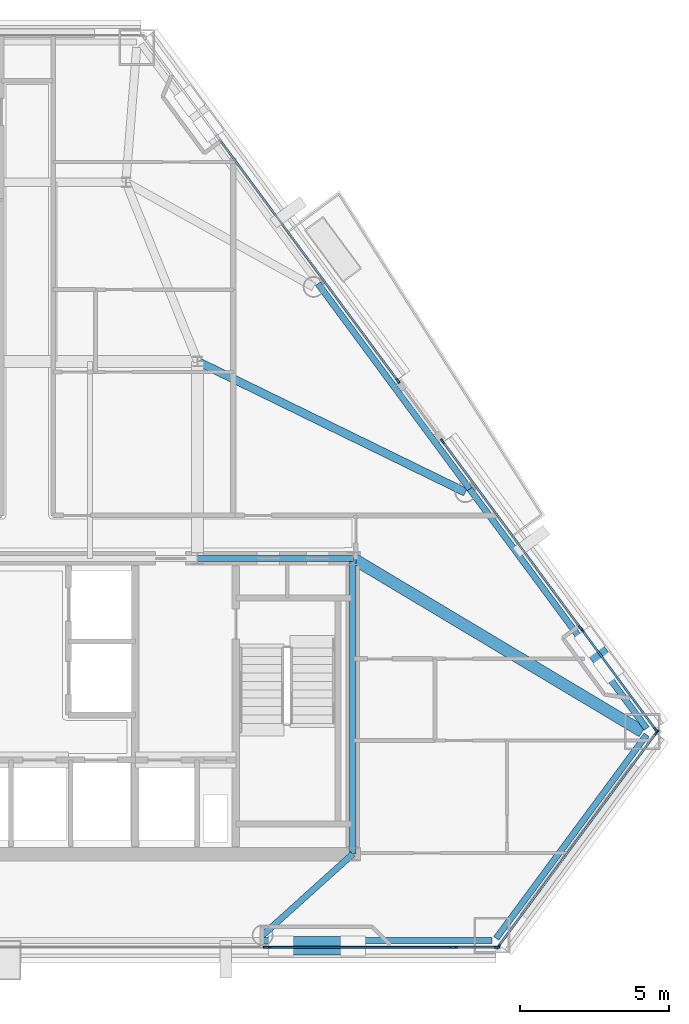
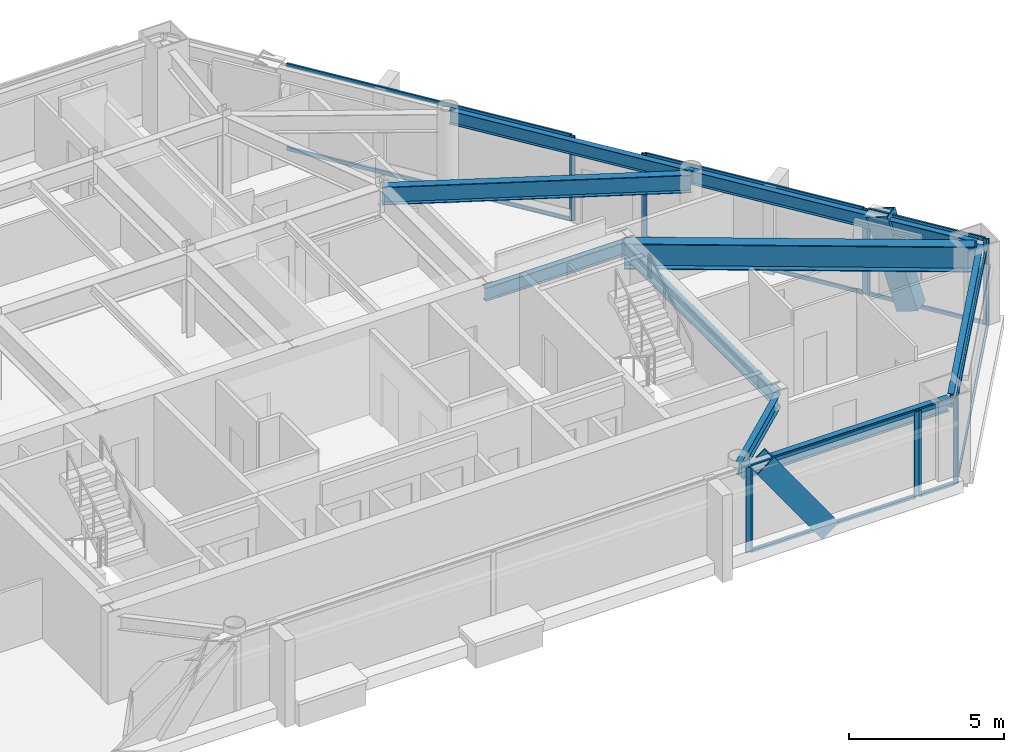
# One storey, part 5 of 11: 26 members, 9 beams, 7 elements without a shape of their own.
"""IFC4 building model written with IfcOpenShell, lengths in metres."""

from ifc_helpers import new_model, si_unit, direction, frame, origin, origin_2d, place, context, subcontext, project, spatial, rectangle, hollow_rectangle, i_section, extrude, material, layer, layer_set, material_profile, profile_set, type_object, element, aggregate, save


model = new_model("IFC4")

# Units and contexts
model_context = context("Model", 3, precision=1e-05, world=origin(), true_north=direction((0.0, 1.0)))
body_context = subcontext(model_context, "Body", "Model", "MODEL_VIEW")
ifc_project = project(units=[si_unit("LENGTHUNIT", "METRE"), si_unit("AREAUNIT", "SQUARE_METRE"), si_unit("VOLUMEUNIT", "CUBIC_METRE"), si_unit("PLANEANGLEUNIT", "RADIAN"), si_unit("MASSUNIT", "GRAM", prefix="KILO")], contexts=[model_context])

# Site, building, storey
site_placement = place(None, origin())
site = spatial("IfcSite", under=ifc_project, at=site_placement, CompositionType="ELEMENT")
building_placement = place(site_placement, origin())
building = spatial("IfcBuilding", under=site, at=building_placement, Name="Talgorran Terracotta Tower", CompositionType="ELEMENT")
storey_placement = place(building_placement, frame((0.0, 0.0, 136.5)))
storey = spatial("IfcBuildingStorey", under=building, at=storey_placement, Name="L35", CompositionType="ELEMENT", Elevation=136.5)

# Beams
ifc_material_1 = material(Name="Steel Grade 350 (350L0)", Category="steel")
ifc_material_profile_1 = material_profile(ifc_material_1, i_section(OverallWidth=0.39990234375, OverallDepth=1.0, WebThickness=0.01611328125, FlangeThickness=0.031005859375, at=origin_2d()), Name="1000WB296")
ifc_profile_set_1 = profile_set([ifc_material_profile_1], Name="Steel Grade 350 (350L0)")
beam_type_1 = type_object("IfcBeamType", Name="BM_1000WB296", PredefinedType="BEAM", material=ifc_profile_set_1)
beam_1_placement = place(storey_placement, frame((12.39990234375, -4.199951171875, 2.85009765625), z_axis=(0.858174722871, -0.513357716436, 0.0), x_axis=(0.513357716436, 0.858174722871, 0.0)))
element("IfcBeam", 1, at=beam_1_placement, inside=storey, type_object=beam_type_1, Name="L35 Floor Girder G18", PredefinedType="BEAM", context=body_context, shape_type="SweptSolid", body=[
    extrude(i_section(OverallWidth=0.39990234375, OverallDepth=1.0, WebThickness=0.01611328125, FlangeThickness=0.031005859375, at=origin_2d()), origin(), (0.0, 0.0, 1.0), 11.298828125),
])
ifc_material_2 = material(Name="Steel S355 (300PLUS)", Category="steel")
ifc_material_profile_2 = material_profile(ifc_material_2, i_section(OverallWidth=0.27490234375, OverallDepth=0.7080078125, WebThickness=0.011962890625, FlangeThickness=0.02490234375, at=origin_2d()), Name="700WB173")
ifc_profile_set_2 = profile_set([ifc_material_profile_2], Name="Steel S355 (300PLUS)")
beam_type_2 = type_object("IfcBeamType", Name="BM_700WB173", PredefinedType="BEAM", material=ifc_profile_set_2)
beam_2_placement = place(storey_placement, frame((7.199951171875, 2.39990234375, 2.99609375), z_axis=(0.898565721625, -0.438838972655, 0.0), x_axis=(0.438838972655, 0.898565721625, 0.0)))
element("IfcBeam", 2, at=beam_2_placement, inside=storey, type_object=beam_type_2, Name="L35 Floor Girder G07", PredefinedType="BEAM", context=body_context, shape_type="SweptSolid", body=[
    extrude(i_section(OverallWidth=0.27490234375, OverallDepth=0.7080078125, WebThickness=0.011962890625, FlangeThickness=0.02490234375, at=origin_2d()), origin(), (0.0, 0.0, 1.0), 9.981689453125),
])
ifc_material_profile_3 = material_profile(ifc_material_2, i_section(OverallWidth=0.209228515625, OverallDepth=0.532958984375, WebThickness=0.01025390625, FlangeThickness=0.015625, at=origin_2d()), Name="530UB92.4")
ifc_profile_set_3 = profile_set([ifc_material_profile_3], Name="Steel S355 (300PLUS)")
beam_type_3 = type_object("IfcBeamType", Name="BM_SP_530UB92", PredefinedType="SPANDREL", material=ifc_profile_set_3)
beam_3_placement = place(storey_placement, frame((9.381103515625, -16.998779296875, 3.08349609375), z_axis=(1.0, 0.0, 0.0), x_axis=(0.0, 1.0, 0.0)))
element("IfcBeam", 3, at=beam_3_placement, inside=storey, type_object=beam_type_3, Name="L35 Perimeter Spandrel Beam FC2-MC3", PredefinedType="SPANDREL", context=body_context, shape_type="SweptSolid", body=[
    extrude(i_section(OverallWidth=0.209228515625, OverallDepth=0.532958984375, WebThickness=0.01025390625, FlangeThickness=0.015625, at=origin_2d()), origin(), (0.0, 0.0, 1.0), 7.67578125),
])
beam_4_placement = place(storey_placement, frame((17.20166015625, -16.92578125, 3.08349609375), z_axis=(0.594369201234, 0.804192298288, 0.0), x_axis=(-0.804192298288, 0.594369201234, 0.0)))
element("IfcBeam", 4, at=beam_4_placement, inside=storey, type_object=beam_type_3, Name="L35 Perimeter Spandrel Beam MC3-MC4", PredefinedType="SPANDREL", context=body_context, shape_type="SweptSolid", body=[
    extrude(i_section(OverallWidth=0.209228515625, OverallDepth=0.532958984375, WebThickness=0.01025390625, FlangeThickness=0.015625, at=origin_2d()), origin(), (0.0, 0.0, 1.0), 8.478759765625),
])
beam_5_placement = place(storey_placement, frame((22.2412109375, -9.893310546875, 3.08349609375), z_axis=(-0.594352513119, 0.804204632011, 0.0), x_axis=(-0.804204632011, -0.594352513119, 0.0)))
element("IfcBeam", 5, at=beam_5_placement, inside=storey, type_object=beam_type_3, Name="L35 Perimeter Spandrel Beam MC4-FC3", PredefinedType="SPANDREL", context=body_context, shape_type="SweptSolid", body=[
    extrude(i_section(OverallWidth=0.209228515625, OverallDepth=0.532958984375, WebThickness=0.01025390625, FlangeThickness=0.015625, at=origin_2d()), origin(), (0.0, 0.0, 1.0), 9.97265625),
])
beam_6_placement = place(storey_placement, frame((16.31396484375, -1.873291015625, 3.08349609375), z_axis=(-0.594373393058, 0.804189200142, 0.0), x_axis=(-0.804189200142, -0.594373393058, 0.0)))
element("IfcBeam", 6, at=beam_6_placement, inside=storey, type_object=beam_type_3, Name="L35 Perimeter Spandrel Beam FC3-FC4", PredefinedType="SPANDREL", context=body_context, shape_type="SweptSolid", body=[
    extrude(i_section(OverallWidth=0.209228515625, OverallDepth=0.532958984375, WebThickness=0.01025390625, FlangeThickness=0.015625, at=origin_2d()), origin(), (0.0, 0.0, 1.0), 8.5478515625),
])
beam_7_placement = place(storey_placement, frame((12.39990234375, -14.10009765625, 3.08349609375), z_axis=(-0.74306999476, -0.669213704945, 0.0), x_axis=(0.669213704945, -0.74306999476, 0.0)))
element("IfcBeam", 7, at=beam_7_placement, inside=storey, type_object=beam_type_3, Name="L35 South-East Core Tie Beam", PredefinedType="SPANDREL", context=body_context, shape_type="SweptSolid", body=[
    extrude(i_section(OverallWidth=0.209228515625, OverallDepth=0.532958984375, WebThickness=0.01025390625, FlangeThickness=0.015625, at=origin_2d()), origin(), (0.0, 0.0, 1.0), 4.0625),
])
beam_8_placement = place(storey_placement, frame((12.39990234375, -14.10009765625, 3.08349609375), z_axis=(0.0, 1.0, 0.0), x_axis=(-1.0, 0.0, 0.0)))
element("IfcBeam", 8, at=beam_8_placement, inside=storey, type_object=beam_type_3, Name="L35 Core Frame Beam CFE", PredefinedType="SPANDREL", context=body_context, shape_type="SweptSolid", body=[
    extrude(i_section(OverallWidth=0.209228515625, OverallDepth=0.532958984375, WebThickness=0.01025390625, FlangeThickness=0.015625, at=origin_2d()), origin(), (0.0, 0.0, 1.0), 9.900146484375),
])
beam_9_placement = place(storey_placement, frame((7.199951171875, -4.199951171875, 3.08349609375), z_axis=(1.0, 0.0, 0.0), x_axis=(0.0, 1.0, 0.0)))
element("IfcBeam", 9, at=beam_9_placement, inside=storey, type_object=beam_type_3, Name="L35 Core Frame Beam CFN4", PredefinedType="SPANDREL", context=body_context, shape_type="SweptSolid", body=[
    extrude(i_section(OverallWidth=0.209228515625, OverallDepth=0.532958984375, WebThickness=0.01025390625, FlangeThickness=0.015625, at=origin_2d()), origin(), (0.0, 0.0, 1.0), 5.199951171875),
])

# Members
ifc_material_profile_4 = material_profile(ifc_material_1, hollow_rectangle(XDim=0.6201171875, YDim=0.780029296875, WallThickness=0.0419921875, at=origin_2d()), Name="WBOX780X620X42")
ifc_profile_set_4 = profile_set([ifc_material_profile_4], Name="Steel Grade 350 (350L0)")
member_type_1 = type_object("IfcMemberType", Name="MB_MEGA_780", PredefinedType="BRACE", material=ifc_profile_set_4)
member_1_placement = place(storey_placement, frame((12.41162109375, -17.178955078125, -0.02490234375), z_axis=(-0.578826145005, 0.0, 0.815450975755), x_axis=(0.0, -1.0, 0.0)))
element("IfcMember", 10, at=member_1_placement, inside=storey, type_object=member_type_1, Name="L35 Exterior Face Mega-Brace MB-2 (SEF)", PredefinedType="BRACE", context=body_context, shape_type="SweptSolid", body=[
    extrude(hollow_rectangle(XDim=0.6201171875, YDim=0.780029296875, WallThickness=0.0419921875, at=origin_2d()), origin(), (0.0, 0.0, 1.0), 4.16943359375),
])
member_2_placement = place(storey_placement, frame((20.96142578125, -7.85888671875, -0.02490234375), z_axis=(-0.178557600451, 0.241569872187, 0.953814017601), x_axis=(-0.804166664466, -0.594403882694, 0.0)))
element("IfcMember", 11, at=member_2_placement, inside=storey, type_object=member_type_1, Name="L35 Exterior Face Mega-Brace MB-2 (NEL)", PredefinedType="BRACE", context=body_context, shape_type="SweptSolid", body=[
    extrude(hollow_rectangle(XDim=0.6201171875, YDim=0.780029296875, WallThickness=0.0419921875, at=origin_2d()), origin(), (0.0, 0.0, 1.0), 3.564453125),
])

# Curtain wall, member
ifc_material_3 = material(Name="Unitised Low-E Double Glazing", Category="glass")
ifc_layer = layer(ifc_material_3, 0.199951171875, Name="CW_SYS2_RES_LOW")
ifc_layer_set = layer_set([ifc_layer], Name="Unitised Low-E Double Glazing")
curtain_wall_type = type_object("IfcCurtainWallType", Name="CW_SYS2_RES_LOW", PredefinedType="NOTDEFINED", material=ifc_layer_set)
curtain_wall_1_placement = place(storey_placement, origin())
curtain_wall_1 = element("IfcCurtainWall", 12, at=curtain_wall_1_placement, inside=storey, type_object=curtain_wall_type, Name="CW-L35-F1C", PredefinedType="NOTDEFINED")
ifc_material_4 = material(Name="Architectural Aluminium 6063-T6", Category="aluminium")
ifc_material_profile_5 = material_profile(ifc_material_4, rectangle(XDim=0.06494140625, YDim=0.18505859375, at=origin_2d()), Name="CWM65X185")
ifc_profile_set_5 = profile_set([ifc_material_profile_5], Name="Architectural Aluminium 6063-T6")
member_type_2 = type_object("IfcMemberType", Name="MUL_65X185", PredefinedType="MULLION", material=ifc_profile_set_5)
member_3_placement = place(storey_placement, frame((9.492919921875, -17.218994140625, 0.0), z_axis=(0.0, 0.0, 1.0), x_axis=(0.0, 1.0, 0.0)))
member_3 = element("IfcMember", 13, at=member_3_placement, type_object=member_type_2, Name="CW-L35-1C mullion 3", PredefinedType="MULLION", context=body_context, shape_type="SweptSolid", body=[
    extrude(rectangle(XDim=0.06494140625, YDim=0.18505859375, at=origin_2d()), origin(), (0.0, 0.0, 1.0), 3.35009765625),
])
aggregate(curtain_wall_1, [member_3])

# Curtain wall, members
curtain_wall_2_placement = place(storey_placement, origin())
curtain_wall_2 = element("IfcCurtainWall", 14, at=curtain_wall_2_placement, inside=storey, type_object=curtain_wall_type, Name="CW-L35-F1D", PredefinedType="NOTDEFINED")
member_4_placement = place(storey_placement, frame((9.56787109375, -17.218994140625, 0.0), z_axis=(0.0, 0.0, 1.0), x_axis=(0.0, 1.0, 0.0)))
member_4 = element("IfcMember", 15, at=member_4_placement, type_object=member_type_2, Name="CW-L35-1D mullion 1", PredefinedType="MULLION", context=body_context, shape_type="SweptSolid", body=[
    extrude(rectangle(XDim=0.06494140625, YDim=0.18505859375, at=origin_2d()), origin(), (0.0, 0.0, 1.0), 3.35009765625),
])
member_5_placement = place(storey_placement, frame((15.75, -17.218994140625, 0.0), z_axis=(0.0, 0.0, 1.0), x_axis=(0.0, 1.0, 0.0)))
member_5 = element("IfcMember", 16, at=member_5_placement, type_object=member_type_2, Name="CW-L35-1D mullion 2", PredefinedType="MULLION", context=body_context, shape_type="SweptSolid", body=[
    extrude(rectangle(XDim=0.06494140625, YDim=0.18505859375, at=origin_2d()), origin(), (0.0, 0.0, 1.0), 3.35009765625),
])

curtain_wall_3_placement = place(storey_placement, origin())
curtain_wall_3 = element("IfcCurtainWall", 17, at=curtain_wall_3_placement, inside=storey, type_object=curtain_wall_type, Name="CW-L35-F1E", PredefinedType="NOTDEFINED")
member_6_placement = place(storey_placement, frame((15.8251953125, -17.218994140625, 0.0), z_axis=(0.0, 0.0, 1.0), x_axis=(0.0, 1.0, 0.0)))
member_6 = element("IfcMember", 18, at=member_6_placement, type_object=member_type_2, Name="CW-L35-1E mullion 1", PredefinedType="MULLION", context=body_context, shape_type="SweptSolid", body=[
    extrude(rectangle(XDim=0.06494140625, YDim=0.18505859375, at=origin_2d()), origin(), (0.0, 0.0, 1.0), 3.35009765625),
])
member_7_placement = place(storey_placement, frame((17.22607421875, -17.218994140625, 0.0), z_axis=(0.0, 0.0, 1.0), x_axis=(0.0, 1.0, 0.0)))
member_7 = element("IfcMember", 19, at=member_7_placement, type_object=member_type_2, Name="CW-L35-1E mullion 2", PredefinedType="MULLION", context=body_context, shape_type="SweptSolid", body=[
    extrude(rectangle(XDim=0.06494140625, YDim=0.18505859375, at=origin_2d()), origin(), (0.0, 0.0, 1.0), 3.35009765625),
])

curtain_wall_4_placement = place(storey_placement, origin())
curtain_wall_4 = element("IfcCurtainWall", 20, at=curtain_wall_4_placement, inside=storey, type_object=curtain_wall_type, Name="CW-L35-F2", PredefinedType="NOTDEFINED")
member_8_placement = place(storey_placement, frame((17.27783203125, -17.19287109375, 0.0), z_axis=(0.0, 0.0, 1.0), x_axis=(-0.80420068261, 0.594357856926, 0.0)))
member_8 = element("IfcMember", 21, at=member_8_placement, type_object=member_type_2, Name="CW-L35-2 mullion 1", PredefinedType="MULLION", context=body_context, shape_type="SweptSolid", body=[
    extrude(rectangle(XDim=0.06494140625, YDim=0.18505859375, at=origin_2d()), origin(), (0.0, 0.0, 1.0), 3.35009765625),
])
member_9_placement = place(storey_placement, frame((22.574462890625, -10.0263671875, 0.0), z_axis=(0.0, 0.0, 1.0), x_axis=(-0.80420068261, 0.594357856926, 0.0)))
member_9 = element("IfcMember", 22, at=member_9_placement, type_object=member_type_2, Name="CW-L35-2 mullion 2", PredefinedType="MULLION", context=body_context, shape_type="SweptSolid", body=[
    extrude(rectangle(XDim=0.06494140625, YDim=0.18505859375, at=origin_2d()), origin(), (0.0, 0.0, 1.0), 3.35009765625),
])

curtain_wall_5_placement = place(storey_placement, origin())
curtain_wall_5 = element("IfcCurtainWall", 23, at=curtain_wall_5_placement, inside=storey, type_object=curtain_wall_type, Name="CW-L35-F40", PredefinedType="NOTDEFINED")
member_10_placement = place(storey_placement, frame((22.550537109375, -9.94189453125, 0.0), z_axis=(0.0, 0.0, 1.0), x_axis=(-0.804200158966, -0.594358565446, 0.0)))
member_10 = element("IfcMember", 24, at=member_10_placement, type_object=member_type_2, Name="CW-L35-40 mullion 1", PredefinedType="MULLION", context=body_context, shape_type="SweptSolid", body=[
    extrude(rectangle(XDim=0.06494140625, YDim=0.18505859375, at=origin_2d()), origin(), (0.0, 0.0, 1.0), 3.35009765625),
])
member_11_placement = place(storey_placement, frame((20.0693359375, -6.58447265625, 0.0), z_axis=(0.0, 0.0, 1.0), x_axis=(-0.804200158966, -0.594358565446, 0.0)))
member_11 = element("IfcMember", 25, at=member_11_placement, type_object=member_type_2, Name="CW-L35-40 mullion 2", PredefinedType="MULLION", context=body_context, shape_type="SweptSolid", body=[
    extrude(rectangle(XDim=0.06494140625, YDim=0.18505859375, at=origin_2d()), origin(), (0.0, 0.0, 1.0), 3.35009765625),
])

curtain_wall_6_placement = place(storey_placement, origin())
curtain_wall_6 = element("IfcCurtainWall", 26, at=curtain_wall_6_placement, inside=storey, type_object=curtain_wall_type, Name="CW-L35-F40B", PredefinedType="NOTDEFINED")
member_12_placement = place(storey_placement, frame((20.024658203125, -6.524169921875, 0.0), z_axis=(0.0, 0.0, 1.0), x_axis=(-0.804199498494, -0.5943594591, 0.0)))
member_12 = element("IfcMember", 27, at=member_12_placement, type_object=member_type_2, Name="CW-L35-40B mullion 1", PredefinedType="MULLION", context=body_context, shape_type="SweptSolid", body=[
    extrude(rectangle(XDim=0.06494140625, YDim=0.18505859375, at=origin_2d()), origin(), (0.0, 0.0, 1.0), 3.35009765625),
])
member_13_placement = place(storey_placement, frame((15.40966796875, -0.279541015625, 0.0), z_axis=(0.0, 0.0, 1.0), x_axis=(-0.804199498494, -0.5943594591, 0.0)))
member_13 = element("IfcMember", 28, at=member_13_placement, type_object=member_type_2, Name="CW-L35-40B mullion 2", PredefinedType="MULLION", context=body_context, shape_type="SweptSolid", body=[
    extrude(rectangle(XDim=0.06494140625, YDim=0.18505859375, at=origin_2d()), origin(), (0.0, 0.0, 1.0), 3.35009765625),
])

# Curtain wall, member
curtain_wall_7_placement = place(storey_placement, origin())
curtain_wall_7 = element("IfcCurtainWall", 29, at=curtain_wall_7_placement, inside=storey, type_object=curtain_wall_type, Name="CW-L35-F41", PredefinedType="NOTDEFINED")
member_14_placement = place(storey_placement, frame((13.90869140625, 1.7509765625, 0.0), z_axis=(0.0, 0.0, 1.0), x_axis=(-0.804202196164, -0.594355808995, 0.0)))
member_14 = element("IfcMember", 30, at=member_14_placement, type_object=member_type_2, Name="CW-L35-41 mullion 1", PredefinedType="MULLION", context=body_context, shape_type="SweptSolid", body=[
    extrude(rectangle(XDim=0.06494140625, YDim=0.18505859375, at=origin_2d()), origin(), (0.0, 0.0, 1.0), 3.35009765625),
])

# Member
ifc_material_profile_6 = material_profile(ifc_material_4, rectangle(XDim=0.06494140625, YDim=0.14990234375, at=origin_2d()), Name="CWT65X150")
ifc_profile_set_6 = profile_set([ifc_material_profile_6], Name="Architectural Aluminium 6063-T6")
member_type_3 = type_object("IfcMemberType", Name="TRN_65X150", PredefinedType="USERDEFINED", material=ifc_profile_set_6)
member_15_placement = place(storey_placement, frame((9.600341796875, -17.218994140625, 0.032470703125), z_axis=(1.0, 0.0, 0.0), x_axis=(0.0, 1.0, 0.0)))
member_15 = element("IfcMember", 31, at=member_15_placement, type_object=member_type_3, Name="CW-L35-1D transom 1.1", ObjectType="TRANSOM", PredefinedType="USERDEFINED", context=body_context, shape_type="SweptSolid", body=[
    extrude(rectangle(XDim=0.06494140625, YDim=0.14990234375, at=origin_2d()), origin(), (0.0, 0.0, 1.0), 6.1171875),
])

member_16_placement = place(storey_placement, frame((9.600341796875, -17.218994140625, 3.3173828125), z_axis=(1.0, 0.0, 0.0), x_axis=(0.0, 1.0, 0.0)))
member_16 = element("IfcMember", 32, at=member_16_placement, type_object=member_type_3, Name="CW-L35-1D transom 1.2", ObjectType="TRANSOM", PredefinedType="USERDEFINED", context=body_context, shape_type="SweptSolid", body=[
    extrude(rectangle(XDim=0.06494140625, YDim=0.14990234375, at=origin_2d()), origin(), (0.0, 0.0, 1.0), 6.1171875),
])

aggregate(curtain_wall_2, [member_4, member_5, member_15, member_16])

member_17_placement = place(storey_placement, frame((15.857666015625, -17.218994140625, 0.032470703125), z_axis=(1.0, 0.0, 0.0), x_axis=(0.0, 1.0, 0.0)))
member_17 = element("IfcMember", 33, at=member_17_placement, type_object=member_type_3, Name="CW-L35-1E transom 1.1", ObjectType="TRANSOM", PredefinedType="USERDEFINED", context=body_context, shape_type="SweptSolid", body=[
    extrude(rectangle(XDim=0.06494140625, YDim=0.14990234375, at=origin_2d()), origin(), (0.0, 0.0, 1.0), 1.3359375),
])

member_18_placement = place(storey_placement, frame((15.857666015625, -17.218994140625, 3.3173828125), z_axis=(1.0, 0.0, 0.0), x_axis=(0.0, 1.0, 0.0)))
member_18 = element("IfcMember", 34, at=member_18_placement, type_object=member_type_3, Name="CW-L35-1E transom 1.2", ObjectType="TRANSOM", PredefinedType="USERDEFINED", context=body_context, shape_type="SweptSolid", body=[
    extrude(rectangle(XDim=0.06494140625, YDim=0.14990234375, at=origin_2d()), origin(), (0.0, 0.0, 1.0), 1.3359375),
])

aggregate(curtain_wall_3, [member_6, member_7, member_17, member_18])

member_19_placement = place(storey_placement, frame((17.297119140625, -17.166748046875, 0.032470703125), z_axis=(0.59436855771, 0.804192773908, 0.0), x_axis=(-0.804192773908, 0.59436855771, 0.0)))
member_19 = element("IfcMember", 35, at=member_19_placement, type_object=member_type_3, Name="CW-L35-2 transom 1.1", ObjectType="TRANSOM", PredefinedType="USERDEFINED", context=body_context, shape_type="SweptSolid", body=[
    extrude(rectangle(XDim=0.06494140625, YDim=0.14990234375, at=origin_2d()), origin(), (0.0, 0.0, 1.0), 8.846435546875),
])

member_20_placement = place(storey_placement, frame((17.297119140625, -17.166748046875, 3.3173828125), z_axis=(0.59436855771, 0.804192773908, 0.0), x_axis=(-0.804192773908, 0.59436855771, 0.0)))
member_20 = element("IfcMember", 36, at=member_20_placement, type_object=member_type_3, Name="CW-L35-2 transom 1.2", ObjectType="TRANSOM", PredefinedType="USERDEFINED", context=body_context, shape_type="SweptSolid", body=[
    extrude(rectangle(XDim=0.06494140625, YDim=0.14990234375, at=origin_2d()), origin(), (0.0, 0.0, 1.0), 8.846435546875),
])

aggregate(curtain_wall_4, [member_8, member_9, member_19, member_20])

member_21_placement = place(storey_placement, frame((22.53125, -9.915771484375, 0.032470703125), z_axis=(-0.594339280863, 0.804214411226, 0.0), x_axis=(-0.804214411226, -0.594339280863, 0.0)))
member_21 = element("IfcMember", 37, at=member_21_placement, type_object=member_type_3, Name="CW-L35-40 transom 1.1", ObjectType="TRANSOM", PredefinedType="USERDEFINED", context=body_context, shape_type="SweptSolid", body=[
    extrude(rectangle(XDim=0.06494140625, YDim=0.14990234375, at=origin_2d()), origin(), (0.0, 0.0, 1.0), 4.10986328125),
])

member_22_placement = place(storey_placement, frame((22.53125, -9.915771484375, 3.3173828125), z_axis=(-0.594339280863, 0.804214411226, 0.0), x_axis=(-0.804214411226, -0.594339280863, 0.0)))
member_22 = element("IfcMember", 38, at=member_22_placement, type_object=member_type_3, Name="CW-L35-40 transom 1.2", ObjectType="TRANSOM", PredefinedType="USERDEFINED", context=body_context, shape_type="SweptSolid", body=[
    extrude(rectangle(XDim=0.06494140625, YDim=0.14990234375, at=origin_2d()), origin(), (0.0, 0.0, 1.0), 4.10986328125),
])

aggregate(curtain_wall_5, [member_10, member_11, member_21, member_22])

member_23_placement = place(storey_placement, frame((20.00537109375, -6.498046875, 0.032470703125), z_axis=(-0.594343809961, 0.804211064063, 0.0), x_axis=(-0.804211064063, -0.594343809961, 0.0)))
member_23 = element("IfcMember", 39, at=member_23_placement, type_object=member_type_3, Name="CW-L35-40B transom 1.1", ObjectType="TRANSOM", PredefinedType="USERDEFINED", context=body_context, shape_type="SweptSolid", body=[
    extrude(rectangle(XDim=0.06494140625, YDim=0.14990234375, at=origin_2d()), origin(), (0.0, 0.0, 1.0), 7.699951171875),
])

member_24_placement = place(storey_placement, frame((20.00537109375, -6.498046875, 3.3173828125), z_axis=(-0.594343809961, 0.804211064063, 0.0), x_axis=(-0.804211064063, -0.594343809961, 0.0)))
member_24 = element("IfcMember", 40, at=member_24_placement, type_object=member_type_3, Name="CW-L35-40B transom 1.2", ObjectType="TRANSOM", PredefinedType="USERDEFINED", context=body_context, shape_type="SweptSolid", body=[
    extrude(rectangle(XDim=0.06494140625, YDim=0.14990234375, at=origin_2d()), origin(), (0.0, 0.0, 1.0), 7.699951171875),
])

aggregate(curtain_wall_6, [member_12, member_13, member_23, member_24])

member_25_placement = place(storey_placement, frame((13.889404296875, 1.777099609375, 0.032470703125), z_axis=(-0.594356049928, 0.804202018098, 0.0), x_axis=(-0.804202018098, -0.594356049928, 0.0)))
member_25 = element("IfcMember", 41, at=member_25_placement, type_object=member_type_3, Name="CW-L35-41 transom 1.1", ObjectType="TRANSOM", PredefinedType="USERDEFINED", context=body_context, shape_type="SweptSolid", body=[
    extrude(rectangle(XDim=0.06494140625, YDim=0.14990234375, at=origin_2d()), origin(), (0.0, 0.0, 1.0), 9.999755859375),
])

member_26_placement = place(storey_placement, frame((13.889404296875, 1.777099609375, 3.3173828125), z_axis=(-0.594356049928, 0.804202018098, 0.0), x_axis=(-0.804202018098, -0.594356049928, 0.0)))
member_26 = element("IfcMember", 42, at=member_26_placement, type_object=member_type_3, Name="CW-L35-41 transom 1.2", ObjectType="TRANSOM", PredefinedType="USERDEFINED", context=body_context, shape_type="SweptSolid", body=[
    extrude(rectangle(XDim=0.06494140625, YDim=0.14990234375, at=origin_2d()), origin(), (0.0, 0.0, 1.0), 9.999755859375),
])

aggregate(curtain_wall_7, [member_14, member_25, member_26])

save(model, "model.ifc")
